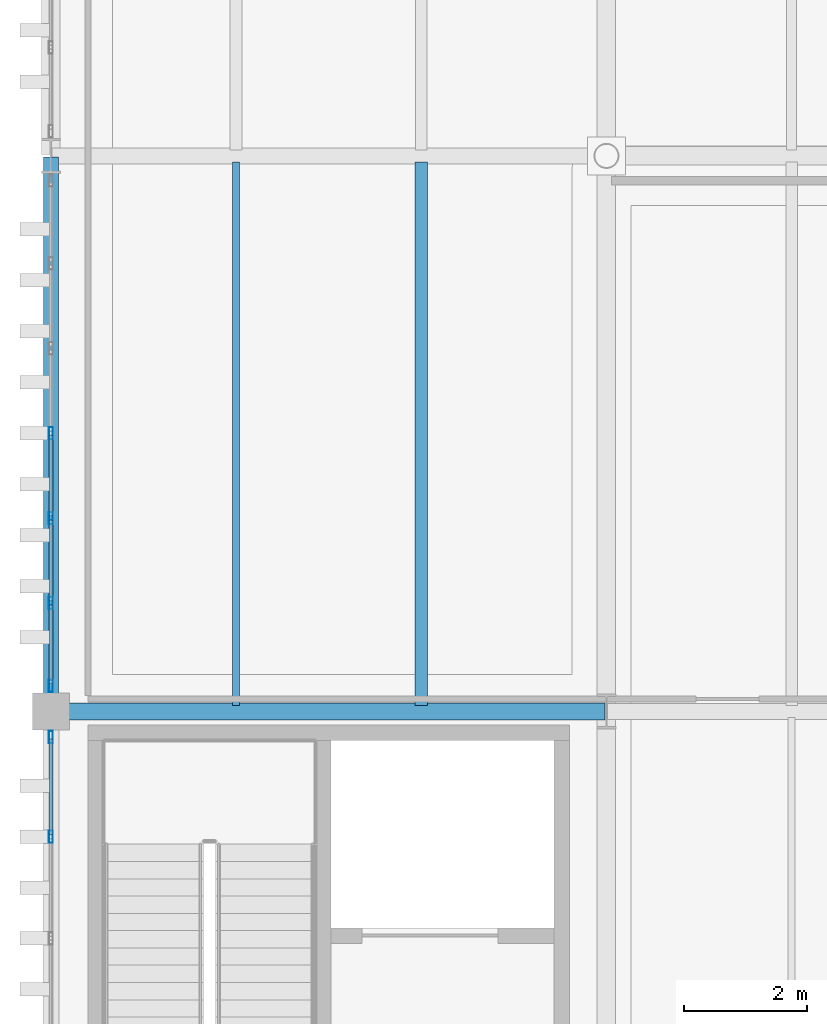
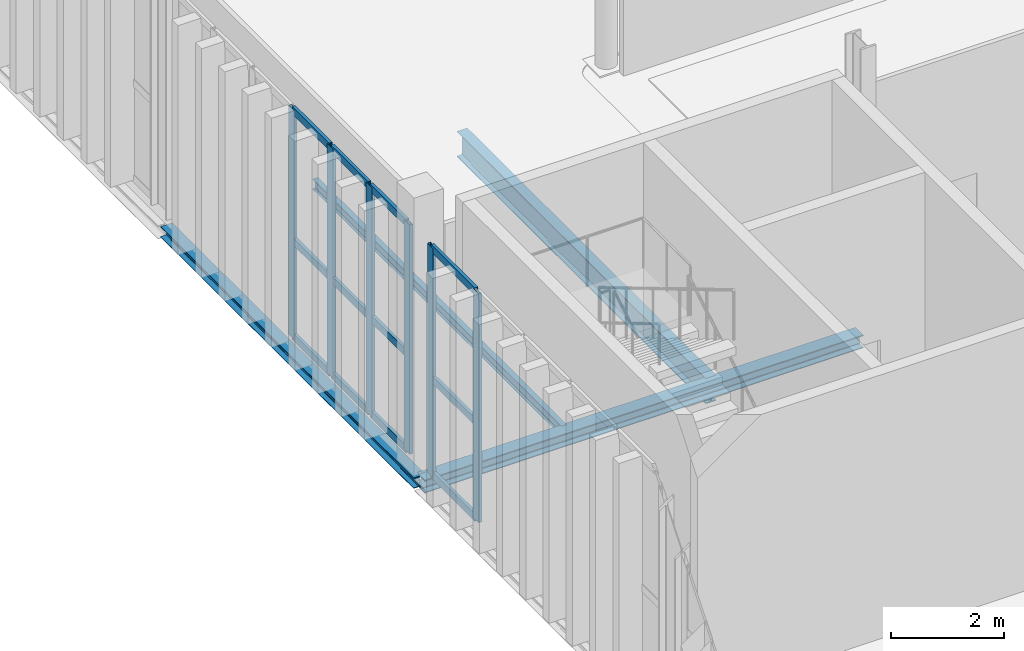
# One storey, part 36 of 211: 18 members, 4 beams, 2 elements without a shape of their own.
"""IFC4 building model written with IfcOpenShell, lengths in metres."""

from ifc_helpers import new_model, si_unit, direction, frame, origin, origin_2d, place, context, subcontext, project, spatial, hollow_rectangle, i_section, extrude, material, layer, layer_set, material_profile, profile_set, type_object, element, aggregate, save


model = new_model("IFC4")

# Units and contexts
model_context = context("Model", 3, precision=1e-05, world=origin(), true_north=direction((0.0, 1.0)))
body_context = subcontext(model_context, "Body", "Model", "MODEL_VIEW")
ifc_project = project(units=[si_unit("LENGTHUNIT", "METRE"), si_unit("AREAUNIT", "SQUARE_METRE"), si_unit("VOLUMEUNIT", "CUBIC_METRE"), si_unit("PLANEANGLEUNIT", "RADIAN"), si_unit("MASSUNIT", "GRAM", prefix="KILO")], contexts=[model_context])

# Site, building, storey
site_placement = place(None, origin())
site = spatial("IfcSite", under=ifc_project, at=site_placement, CompositionType="ELEMENT")
building_placement = place(site_placement, origin())
building = spatial("IfcBuilding", under=site, at=building_placement, Name="Barlavento Convention Centre", CompositionType="ELEMENT")
storey_placement = place(building_placement, frame((0.0, 0.0, 6.0)))
storey = spatial("IfcBuildingStorey", under=building, at=storey_placement, Name="L01", CompositionType="ELEMENT", Elevation=6.0)

# Curtain wall, members
ifc_material_1 = material(Name="Powder-coated aluminium and Low-E glass", Category="aluminium")
ifc_layer = layer(ifc_material_1, 0.18505859375)
ifc_layer_set = layer_set([ifc_layer], Name="ARC-CW-CONG-L01")
curtain_wall_type = type_object("IfcCurtainWallType", Name="ARC-CW-CONG-L01", PredefinedType="NOTDEFINED", material=ifc_layer_set)
curtain_wall_1_placement = place(storey_placement, origin())
curtain_wall_1 = element("IfcCurtainWall", 1, at=curtain_wall_1_placement, inside=storey, type_object=curtain_wall_type, Name="L01 unitised curtain wall CW01", PredefinedType="NOTDEFINED")
ifc_material_2 = material(Name="Powder-coated aluminium", Category="aluminium")
ifc_material_profile_1 = material_profile(ifc_material_2, hollow_rectangle(XDim=0.06494140625, YDim=0.199951171875, WallThickness=0.0048828125, at=origin_2d()), Name="AL-MULL 65x200x5")
ifc_profile_set_1 = profile_set([ifc_material_profile_1], Name="Powder-coated aluminium")
member_type_1 = type_object("IfcMemberType", Name="ARC-CWM-65X200", PredefinedType="MULLION", material=ifc_profile_set_1)
member_1_placement = place(storey_placement, frame((0.0, 24.971923828125, 0.0), z_axis=(0.0, 0.0, 1.0), x_axis=(-1.0, 0.0, 0.0)))
member_1 = element("IfcMember", 2, at=member_1_placement, type_object=member_type_1, Name="CW01 mullion 5", PredefinedType="MULLION", context=body_context, shape_type="SweptSolid", body=[
    extrude(hollow_rectangle(XDim=0.06494140625, YDim=0.199951171875, WallThickness=0.0048828125, at=origin_2d()), origin(), (0.0, 0.0, 1.0), 4.949951171875),
])
member_2_placement = place(storey_placement, frame((0.0, 26.58740234375, 0.0), z_axis=(0.0, 0.0, 1.0), x_axis=(-1.0, 0.0, 0.0)))
member_2 = element("IfcMember", 3, at=member_2_placement, type_object=member_type_1, Name="CW01 mullion 6", PredefinedType="MULLION", context=body_context, shape_type="SweptSolid", body=[
    extrude(hollow_rectangle(XDim=0.06494140625, YDim=0.199951171875, WallThickness=0.0048828125, at=origin_2d()), origin(), (0.0, 0.0, 1.0), 4.949951171875),
])

curtain_wall_2_placement = place(storey_placement, origin())
curtain_wall_2 = element("IfcCurtainWall", 4, at=curtain_wall_2_placement, inside=storey, type_object=curtain_wall_type, Name="L01 unitised curtain wall CW01", PredefinedType="NOTDEFINED")
member_3_placement = place(storey_placement, frame((0.0, 27.41259765625, 0.0), z_axis=(0.0, 0.0, 1.0), x_axis=(-1.0, 0.0, 0.0)))
member_3 = element("IfcMember", 5, at=member_3_placement, type_object=member_type_1, Name="CW01 mullion 1", PredefinedType="MULLION", context=body_context, shape_type="SweptSolid", body=[
    extrude(hollow_rectangle(XDim=0.06494140625, YDim=0.199951171875, WallThickness=0.0048828125, at=origin_2d()), origin(), (0.0, 0.0, 1.0), 4.949951171875),
])
member_4_placement = place(storey_placement, frame((0.0, 28.755615234375, 0.0), z_axis=(0.0, 0.0, 1.0), x_axis=(-1.0, 0.0, 0.0)))
member_4 = element("IfcMember", 6, at=member_4_placement, type_object=member_type_1, Name="CW01 mullion 2", PredefinedType="MULLION", context=body_context, shape_type="SweptSolid", body=[
    extrude(hollow_rectangle(XDim=0.06494140625, YDim=0.199951171875, WallThickness=0.0048828125, at=origin_2d()), origin(), (0.0, 0.0, 1.0), 4.949951171875),
])
member_5_placement = place(storey_placement, frame((0.0, 30.13134765625, 0.0), z_axis=(0.0, 0.0, 1.0), x_axis=(-1.0, 0.0, 0.0)))
member_5 = element("IfcMember", 7, at=member_5_placement, type_object=member_type_1, Name="CW01 mullion 3", PredefinedType="MULLION", context=body_context, shape_type="SweptSolid", body=[
    extrude(hollow_rectangle(XDim=0.06494140625, YDim=0.199951171875, WallThickness=0.0048828125, at=origin_2d()), origin(), (0.0, 0.0, 1.0), 4.949951171875),
])
member_6_placement = place(storey_placement, frame((0.0, 31.507080078125, 0.0), z_axis=(0.0, 0.0, 1.0), x_axis=(-1.0, 0.0, 0.0)))
member_6 = element("IfcMember", 8, at=member_6_placement, type_object=member_type_1, Name="CW01 mullion 4", PredefinedType="MULLION", context=body_context, shape_type="SweptSolid", body=[
    extrude(hollow_rectangle(XDim=0.06494140625, YDim=0.199951171875, WallThickness=0.0048828125, at=origin_2d()), origin(), (0.0, 0.0, 1.0), 4.949951171875),
])

# Member
ifc_material_profile_2 = material_profile(ifc_material_2, hollow_rectangle(XDim=0.06494140625, YDim=0.159912109375, WallThickness=0.0048828125, at=origin_2d()), Name="AL-TRAN 65x160x5")
ifc_profile_set_2 = profile_set([ifc_material_profile_2], Name="Powder-coated aluminium")
member_type_2 = type_object("IfcMemberType", Name="ARC-CWT-65X160", PredefinedType="USERDEFINED", material=ifc_profile_set_2)
member_7_placement = place(storey_placement, frame((0.0, 25.00439453125, 0.032470703125), z_axis=(0.0, 1.0, 0.0), x_axis=(-1.0, 0.0, 0.0)))
member_7 = element("IfcMember", 9, at=member_7_placement, type_object=member_type_2, Name="CW01 transom 5.1", ObjectType="TRANSOM", PredefinedType="USERDEFINED", context=body_context, shape_type="SweptSolid", body=[
    extrude(hollow_rectangle(XDim=0.06494140625, YDim=0.159912109375, WallThickness=0.0048828125, at=origin_2d()), origin(), (0.0, 0.0, 1.0), 1.550537109375),
])

member_8_placement = place(storey_placement, frame((0.0, 25.00439453125, 2.10009765625), z_axis=(0.0, 1.0, 0.0), x_axis=(-1.0, 0.0, 0.0)))
member_8 = element("IfcMember", 10, at=member_8_placement, type_object=member_type_2, Name="CW01 transom 5.2", ObjectType="TRANSOM", PredefinedType="USERDEFINED", context=body_context, shape_type="SweptSolid", body=[
    extrude(hollow_rectangle(XDim=0.06494140625, YDim=0.159912109375, WallThickness=0.0048828125, at=origin_2d()), origin(), (0.0, 0.0, 1.0), 1.550537109375),
])

member_9_placement = place(storey_placement, frame((0.0, 25.00439453125, 4.91748046875), z_axis=(0.0, 1.0, 0.0), x_axis=(-1.0, 0.0, 0.0)))
member_9 = element("IfcMember", 11, at=member_9_placement, type_object=member_type_2, Name="CW01 transom 5.3", ObjectType="TRANSOM", PredefinedType="USERDEFINED", context=body_context, shape_type="SweptSolid", body=[
    extrude(hollow_rectangle(XDim=0.06494140625, YDim=0.159912109375, WallThickness=0.0048828125, at=origin_2d()), origin(), (0.0, 0.0, 1.0), 1.550537109375),
])

aggregate(curtain_wall_1, [member_1, member_2, member_7, member_8, member_9])

member_10_placement = place(storey_placement, frame((0.0, 27.445068359375, 0.032470703125), z_axis=(0.0, 1.0, 0.0), x_axis=(-1.0, 0.0, 0.0)))
member_10 = element("IfcMember", 12, at=member_10_placement, type_object=member_type_2, Name="CW01 transom 1.1", ObjectType="TRANSOM", PredefinedType="USERDEFINED", context=body_context, shape_type="SweptSolid", body=[
    extrude(hollow_rectangle(XDim=0.06494140625, YDim=0.159912109375, WallThickness=0.0048828125, at=origin_2d()), origin(), (0.0, 0.0, 1.0), 1.278076171875),
])

member_11_placement = place(storey_placement, frame((0.0, 27.445068359375, 2.10009765625), z_axis=(0.0, 1.0, 0.0), x_axis=(-1.0, 0.0, 0.0)))
member_11 = element("IfcMember", 13, at=member_11_placement, type_object=member_type_2, Name="CW01 transom 1.2", ObjectType="TRANSOM", PredefinedType="USERDEFINED", context=body_context, shape_type="SweptSolid", body=[
    extrude(hollow_rectangle(XDim=0.06494140625, YDim=0.159912109375, WallThickness=0.0048828125, at=origin_2d()), origin(), (0.0, 0.0, 1.0), 1.278076171875),
])

member_12_placement = place(storey_placement, frame((0.0, 27.445068359375, 4.91748046875), z_axis=(0.0, 1.0, 0.0), x_axis=(-1.0, 0.0, 0.0)))
member_12 = element("IfcMember", 14, at=member_12_placement, type_object=member_type_2, Name="CW01 transom 1.3", ObjectType="TRANSOM", PredefinedType="USERDEFINED", context=body_context, shape_type="SweptSolid", body=[
    extrude(hollow_rectangle(XDim=0.06494140625, YDim=0.159912109375, WallThickness=0.0048828125, at=origin_2d()), origin(), (0.0, 0.0, 1.0), 1.278076171875),
])

member_13_placement = place(storey_placement, frame((0.0, 28.7880859375, 0.032470703125), z_axis=(0.0, 1.0, 0.0), x_axis=(-1.0, 0.0, 0.0)))
member_13 = element("IfcMember", 15, at=member_13_placement, type_object=member_type_2, Name="CW01 transom 2.1", ObjectType="TRANSOM", PredefinedType="USERDEFINED", context=body_context, shape_type="SweptSolid", body=[
    extrude(hollow_rectangle(XDim=0.06494140625, YDim=0.159912109375, WallThickness=0.0048828125, at=origin_2d()), origin(), (0.0, 0.0, 1.0), 1.310791015625),
])

member_14_placement = place(storey_placement, frame((0.0, 28.7880859375, 2.10009765625), z_axis=(0.0, 1.0, 0.0), x_axis=(-1.0, 0.0, 0.0)))
member_14 = element("IfcMember", 16, at=member_14_placement, type_object=member_type_2, Name="CW01 transom 2.2", ObjectType="TRANSOM", PredefinedType="USERDEFINED", context=body_context, shape_type="SweptSolid", body=[
    extrude(hollow_rectangle(XDim=0.06494140625, YDim=0.159912109375, WallThickness=0.0048828125, at=origin_2d()), origin(), (0.0, 0.0, 1.0), 1.310791015625),
])

member_15_placement = place(storey_placement, frame((0.0, 28.7880859375, 4.91748046875), z_axis=(0.0, 1.0, 0.0), x_axis=(-1.0, 0.0, 0.0)))
member_15 = element("IfcMember", 17, at=member_15_placement, type_object=member_type_2, Name="CW01 transom 2.3", ObjectType="TRANSOM", PredefinedType="USERDEFINED", context=body_context, shape_type="SweptSolid", body=[
    extrude(hollow_rectangle(XDim=0.06494140625, YDim=0.159912109375, WallThickness=0.0048828125, at=origin_2d()), origin(), (0.0, 0.0, 1.0), 1.310791015625),
])

member_16_placement = place(storey_placement, frame((0.0, 30.163818359375, 0.032470703125), z_axis=(0.0, 1.0, 0.0), x_axis=(-1.0, 0.0, 0.0)))
member_16 = element("IfcMember", 18, at=member_16_placement, type_object=member_type_2, Name="CW01 transom 3.1", ObjectType="TRANSOM", PredefinedType="USERDEFINED", context=body_context, shape_type="SweptSolid", body=[
    extrude(hollow_rectangle(XDim=0.06494140625, YDim=0.159912109375, WallThickness=0.0048828125, at=origin_2d()), origin(), (0.0, 0.0, 1.0), 1.310791015625),
])

member_17_placement = place(storey_placement, frame((0.0, 30.163818359375, 2.10009765625), z_axis=(0.0, 1.0, 0.0), x_axis=(-1.0, 0.0, 0.0)))
member_17 = element("IfcMember", 19, at=member_17_placement, type_object=member_type_2, Name="CW01 transom 3.2", ObjectType="TRANSOM", PredefinedType="USERDEFINED", context=body_context, shape_type="SweptSolid", body=[
    extrude(hollow_rectangle(XDim=0.06494140625, YDim=0.159912109375, WallThickness=0.0048828125, at=origin_2d()), origin(), (0.0, 0.0, 1.0), 1.310791015625),
])

member_18_placement = place(storey_placement, frame((0.0, 30.163818359375, 4.91748046875), z_axis=(0.0, 1.0, 0.0), x_axis=(-1.0, 0.0, 0.0)))
member_18 = element("IfcMember", 20, at=member_18_placement, type_object=member_type_2, Name="CW01 transom 3.3", ObjectType="TRANSOM", PredefinedType="USERDEFINED", context=body_context, shape_type="SweptSolid", body=[
    extrude(hollow_rectangle(XDim=0.06494140625, YDim=0.159912109375, WallThickness=0.0048828125, at=origin_2d()), origin(), (0.0, 0.0, 1.0), 1.310791015625),
])

aggregate(curtain_wall_2, [member_3, member_4, member_5, member_6, member_10, member_11, member_12, member_13, member_14, member_15, member_16, member_17, member_18])

# Beams
ifc_material_3 = material(Name="Steel S355", Category="steel")
ifc_material_profile_3 = material_profile(ifc_material_3, i_section(OverallWidth=0.110107421875, OverallDepth=0.219970703125, WebThickness=0.005859375, FlangeThickness=0.00927734375, FilletRadius=0.011962890625, at=origin_2d()), Name="IPE 220")
ifc_profile_set_3 = profile_set([ifc_material_profile_3], Name="Steel S355")
beam_type_1 = type_object("IfcBeamType", Name="STR-BM-JST-IPE220", PredefinedType="JOIST", material=ifc_profile_set_3)
beam_1_placement = place(storey_placement, frame((3.0, 27.094970703125, -0.409912109375), z_axis=(0.0, 1.0, 0.0), x_axis=(-1.0, 0.0, 0.0)))
element("IfcBeam", 21, at=beam_1_placement, inside=storey, type_object=beam_type_1, Name="L01 composite floor joist SJ10", PredefinedType="JOIST", context=body_context, shape_type="SweptSolid", body=[
    extrude(i_section(OverallWidth=0.110107421875, OverallDepth=0.219970703125, WebThickness=0.005859375, FlangeThickness=0.00927734375, FilletRadius=0.011962890625, at=origin_2d()), origin(), (0.0, 0.0, 1.0), 8.81005859375),
])
ifc_material_profile_4 = material_profile(ifc_material_3, i_section(OverallWidth=0.2099609375, OverallDepth=0.550048828125, WebThickness=0.010986328125, FlangeThickness=0.01708984375, FilletRadius=0.02392578125, at=origin_2d()), Name="IPE 550")
ifc_profile_set_4 = profile_set([ifc_material_profile_4], Name="Steel S355")
beam_type_2 = type_object("IfcBeamType", Name="STR-BM-JST-IPE550", PredefinedType="JOIST", material=ifc_profile_set_4)
beam_2_placement = place(storey_placement, frame((6.0, 27.094970703125, -0.574951171875), z_axis=(0.0, 1.0, 0.0), x_axis=(-1.0, 0.0, 0.0)))
element("IfcBeam", 22, at=beam_2_placement, inside=storey, type_object=beam_type_2, Name="L01 composite floor joist SJ01", PredefinedType="JOIST", context=body_context, shape_type="SweptSolid", body=[
    extrude(i_section(OverallWidth=0.2099609375, OverallDepth=0.550048828125, WebThickness=0.010986328125, FlangeThickness=0.01708984375, FilletRadius=0.02392578125, at=origin_2d()), origin(), (0.0, 0.0, 1.0), 8.81005859375),
])
ifc_material_profile_5 = material_profile(ifc_material_3, i_section(OverallWidth=0.280029296875, OverallDepth=0.280029296875, WebThickness=0.010498046875, FlangeThickness=0.01806640625, FilletRadius=0.02392578125, at=origin_2d()), Name="HEB 280")
ifc_profile_set_5 = profile_set([ifc_material_profile_5], Name="Steel S355")
beam_type_3 = type_object("IfcBeamType", Name="STR-BM-PRI-HEB280", PredefinedType="BEAM", material=ifc_profile_set_5)
beam_3_placement = place(storey_placement, frame((0.02001953125, 27.0, -0.43994140625), z_axis=(1.0, 0.0, 0.0), x_axis=(0.0, 1.0, 0.0)))
element("IfcBeam", 23, at=beam_3_placement, inside=storey, type_object=beam_type_3, Name="L01 primary girder BG15", PredefinedType="BEAM", context=body_context, shape_type="SweptSolid", body=[
    extrude(i_section(OverallWidth=0.280029296875, OverallDepth=0.280029296875, WebThickness=0.010498046875, FlangeThickness=0.01806640625, FilletRadius=0.02392578125, at=origin_2d()), origin(), (0.0, 0.0, 1.0), 8.9599609375),
])
ifc_material_profile_6 = material_profile(ifc_material_3, i_section(OverallWidth=0.239990234375, OverallDepth=0.22998046875, WebThickness=0.007568359375, FlangeThickness=0.011962890625, FilletRadius=0.02099609375, at=origin_2d()), Name="HEA 240")
ifc_profile_set_6 = profile_set([ifc_material_profile_6], Name="Steel S355")
beam_type_4 = type_object("IfcBeamType", Name="STR-BM-SPN-HEA240", PredefinedType="SPANDREL", material=ifc_profile_set_6)
beam_4_placement = place(storey_placement, frame((0.0, 27.02001953125, -0.4150390625), z_axis=(0.0, 1.0, 0.0), x_axis=(-1.0, 0.0, 0.0)))
element("IfcBeam", 24, at=beam_4_placement, inside=storey, type_object=beam_type_4, Name="L01 grid girder SP05", PredefinedType="SPANDREL", context=body_context, shape_type="SweptSolid", body=[
    extrude(i_section(OverallWidth=0.239990234375, OverallDepth=0.22998046875, WebThickness=0.007568359375, FlangeThickness=0.011962890625, FilletRadius=0.02099609375, at=origin_2d()), origin(), (0.0, 0.0, 1.0), 8.9599609375),
])

save(model, "model.ifc")
